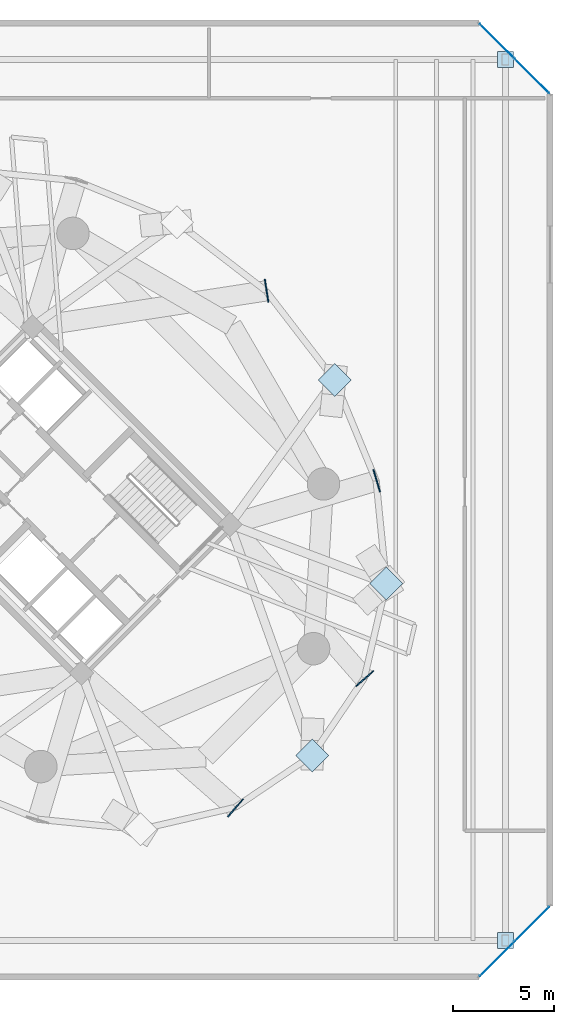
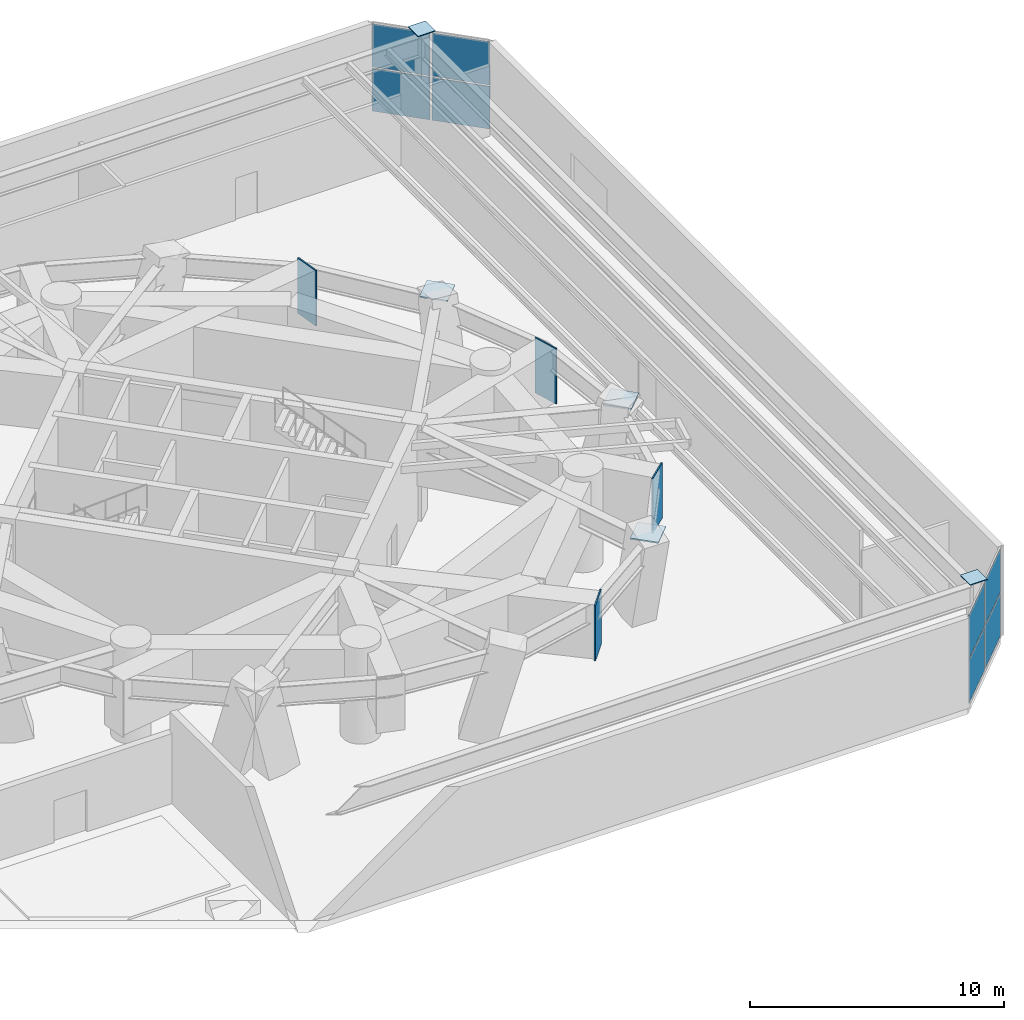
# One storey, part 16 of 25: 17 plates, 2 elements without a shape of their own.
"""IFC4 building model written with IfcOpenShell, lengths in metres."""

from ifc_helpers import new_model, si_unit, direction, frame, origin, origin_2d, place, context, subcontext, project, spatial, rectangle, extrude, source, transform, mapped, material, layer, layer_set, type_object, element, aggregate, save


model = new_model("IFC4")

# Units and contexts
model_context = context("Model", 3, precision=1e-05, world=origin(), true_north=direction((0.0, 1.0)))
body_context = subcontext(model_context, "Body", "Model", "MODEL_VIEW")
ifc_project = project(units=[si_unit("LENGTHUNIT", "METRE"), si_unit("AREAUNIT", "SQUARE_METRE"), si_unit("VOLUMEUNIT", "CUBIC_METRE"), si_unit("PLANEANGLEUNIT", "RADIAN"), si_unit("MASSUNIT", "GRAM", prefix="KILO")], contexts=[model_context])

# Site, building, storey
site_placement = place(None, origin())
site = spatial("IfcSite", under=ifc_project, at=site_placement, CompositionType="ELEMENT")
building_placement = place(site_placement, origin())
building = spatial("IfcBuilding", under=site, at=building_placement, Name="Cununo Teusaquillo Station Towers", CompositionType="ELEMENT")
storey_placement = place(building_placement, frame((0.0, 0.0, 17.39990234375)))
storey = spatial("IfcBuildingStorey", under=building, at=storey_placement, Name="L04", CompositionType="ELEMENT", Elevation=17.39990234375)

# Plates
ifc_material_1 = material(Name="Steel ASTM A572 Grade 50", Category="steel")
ifc_layer_1 = layer(ifc_material_1, 0.06005859375)
ifc_layer_set_1 = layer_set([ifc_layer_1], Name="Steel ASTM A572 Grade 50")
plate_type_1 = type_object("IfcPlateType", Name="PLT-NODE-BDN1", PredefinedType="USERDEFINED", material=ifc_layer_set_1)
shared_shape_1 = source(origin(), body_context, "Body", "SweptSolid", [
    extrude(rectangle(XDim=1.14990234375, YDim=1.14990234375, at=origin_2d()), origin(), (0.0, 0.0, 1.0), 0.06005859375),
])
for number, where, z_axis, x_axis, name in (
    (1, (70.079345703125, 11.920654296875, 4.5400390625), (0.0, 0.0, 1.0), (0.707106781187, 0.707106781187, 0.0), "L04 Tower B V-Foot Pier Head Plate V16L"),
    (2, (73.733154296875, 20.379150390625, 4.5400390625), (0.0, 0.0, 1.0), (0.707106781187, 0.707106781187, 0.0), "L04 Tower B V-Foot Pier Head Plate V18L"),
    (3, (71.186279296875, 30.41162109375, 4.5400390625), (0.0, 0.0, 1.0), (0.707106781187, 0.707106781187, 0.0), "L04 Tower B V-Foot Pier Head Plate V18R"),
):
    element("IfcPlate", number, at=place(storey_placement, frame(where, z_axis=z_axis, x_axis=x_axis)), inside=storey, type_object=plate_type_1, Name=name, ObjectType="BASE PLATE", PredefinedType="USERDEFINED", context=body_context, shape_type="MappedRepresentation", body=[
        mapped(shared_shape_1, transform((0.0, 0.0, 0.0), x_axis=(1.0, 0.0, 0.0), y_axis=(0.0, 1.0, 0.0), z_axis=(0.0, 0.0, 1.0), scale=1.0)),
    ])
shared_shape_2 = source(origin(), body_context, "Body", "SweptSolid", [
    extrude(rectangle(XDim=0.06005859375, YDim=1.14990234375, at=origin_2d()), origin(), (0.0, 0.0, 1.0), 2.659912109375),
])
for number, where, z_axis, x_axis, name in (
    (4, (67.8330078125, 34.807861328125, 1.7099609375), (0.0, 0.0, 1.0), (0.98825506746, 0.152813355565, 0.0), "L04 Tower B Transfer Girder End-Cap Plate 01"),
    (5, (66.302490234375, 9.332763671875, 1.7099609375), (0.0, 0.0, 1.0), (0.752759694735, -0.65829540632, 0.0), "L04 Tower B Transfer Girder End-Cap Plate 08"),
    (6, (72.667236328125, 15.697509765625, 1.7099609375), (0.0, 0.0, 1.0), (0.65829540632, -0.752759694735, 0.0), "L04 Tower B Transfer Girder End-Cap Plate 09"),
    (7, (73.25830078125, 25.4501953125, 1.7099609375), (0.0, 0.0, 1.0), (0.958372421895, 0.285521104212, 0.0), "L04 Tower B Transfer Girder End-Cap Plate 10"),
):
    element("IfcPlate", number, at=place(storey_placement, frame(where, z_axis=z_axis, x_axis=x_axis)), inside=storey, type_object=plate_type_1, Name=name, ObjectType="BASE PLATE", PredefinedType="USERDEFINED", context=body_context, shape_type="MappedRepresentation", body=[
        mapped(shared_shape_2, transform((0.0, 0.0, 0.0), x_axis=(1.0, 0.0, 0.0), y_axis=(0.0, 1.0, 0.0), z_axis=(0.0, 0.0, 1.0), scale=1.0)),
    ])
ifc_material_2 = material(Name="Steel ASTM A572 Grade 50", Category="steel")
ifc_layer_2 = layer(ifc_material_2, 0.0400390625)
ifc_layer_set_2 = layer_set([ifc_layer_2], Name="Steel ASTM A572 Grade 50")
plate_type_2 = type_object("IfcPlateType", Name="PLT-NODE-CRN1", PredefinedType="USERDEFINED", material=ifc_layer_set_2)
shared_shape_3 = source(origin(), body_context, "Body", "SweptSolid", [
    extrude(rectangle(XDim=0.780029296875, YDim=0.780029296875, at=origin_2d()), origin(), (0.0, 0.0, 1.0), 0.0400390625),
])
for number, where, z_axis, x_axis, name in (
    (8, (79.60009765625, 46.199951171875, 4.60009765625), (0.0, 0.0, 1.0), (1.0, 0.0, 0.0), "L04 Pilaster PIL-NE Sealed Top Cap Plate"),
    (9, (79.60009765625, 2.800048828125, 4.60009765625), (0.0, 0.0, 1.0), (1.0, 0.0, 0.0), "L04 Pilaster PIL-SE Sealed Top Cap Plate"),
):
    element("IfcPlate", number, at=place(storey_placement, frame(where, z_axis=z_axis, x_axis=x_axis)), inside=storey, type_object=plate_type_2, Name=name, ObjectType="GUSSET PLATE", PredefinedType="USERDEFINED", context=body_context, shape_type="MappedRepresentation", body=[
        mapped(shared_shape_3, transform((0.0, 0.0, 0.0), x_axis=(1.0, 0.0, 0.0), y_axis=(0.0, 1.0, 0.0), z_axis=(0.0, 0.0, 1.0), scale=1.0)),
    ])

# Curtain wall, plates
ifc_material_3 = material(Name="Ceramic-fritted dark low-E double glazing", Category="glass")
ifc_layer_3 = layer(ifc_material_3, 0.179931640625)
ifc_layer_set_3 = layer_set([ifc_layer_3], Name="Ceramic-fritted dark low-E double glazing")
curtain_wall_type = type_object("IfcCurtainWallType", Name="CW-SYS-01", PredefinedType="USERDEFINED", material=ifc_layer_set_3)
curtain_wall_1_placement = place(storey_placement, origin())
curtain_wall_1 = element("IfcCurtainWall", 10, at=curtain_wall_1_placement, inside=storey, type_object=curtain_wall_type, Name="L04 Station Podium Corner Curtain Wall 4", ObjectType="FRITTED GLAZING", PredefinedType="USERDEFINED")
ifc_material_4 = material(Name="Ceramic-fritted dark low-E double glazing", Category="glass")
ifc_layer_4 = layer(ifc_material_4, 0.028076171875)
ifc_layer_set_4 = layer_set([ifc_layer_4], Name="Ceramic-fritted dark low-E double glazing")
plate_type_3 = type_object("IfcPlateType", Name="CWP-FRIT-28", PredefinedType="CURTAIN_PANEL", material=ifc_layer_set_4)
shared_shape_4 = source(origin(), body_context, "Body", "SweptSolid", [
    extrude(rectangle(XDim=2.35498046875, YDim=0.028076171875, at=origin_2d()), origin(), (0.0, 0.0, 1.0), 2.044921875),
])
plate_1_placement = place(storey_placement, frame((79.189208984375, 47.11083984375, 0.070068359375), z_axis=(0.0, 0.0, 1.0), x_axis=(0.707106781187, -0.707106781187, 0.0)))
plate_1 = element("IfcPlate", 11, at=plate_1_placement, type_object=plate_type_3, Name="CW-01 panel 1.1", PredefinedType="CURTAIN_PANEL", context=body_context, shape_type="MappedRepresentation", body=[
    mapped(shared_shape_4, transform((0.0, 0.0, 0.0), x_axis=(1.0, 0.0, 0.0), y_axis=(0.0, 1.0, 0.0), z_axis=(0.0, 0.0, 1.0), scale=1.0)),
])
plate_2_placement = place(storey_placement, frame((80.910888671875, 45.38916015625, 0.070068359375), z_axis=(0.0, 0.0, 1.0), x_axis=(0.707106781187, -0.707106781187, 0.0)))
plate_2 = element("IfcPlate", 12, at=plate_2_placement, type_object=plate_type_3, Name="CW-01 panel 2.1", PredefinedType="CURTAIN_PANEL", context=body_context, shape_type="MappedRepresentation", body=[
    mapped(shared_shape_4, transform((0.0, 0.0, 0.0), x_axis=(1.0, 0.0, 0.0), y_axis=(0.0, 1.0, 0.0), z_axis=(0.0, 0.0, 1.0), scale=1.0)),
])

curtain_wall_2_placement = place(storey_placement, origin())
curtain_wall_2 = element("IfcCurtainWall", 13, at=curtain_wall_2_placement, inside=storey, type_object=curtain_wall_type, Name="L04 Station Podium Corner Curtain Wall 6", ObjectType="FRITTED GLAZING", PredefinedType="USERDEFINED")
plate_3_placement = place(storey_placement, frame((80.910888671875, 3.61083984375, 0.070068359375), z_axis=(0.0, 0.0, 1.0), x_axis=(-0.707106781187, -0.707106781187, 0.0)))
plate_3 = element("IfcPlate", 14, at=plate_3_placement, type_object=plate_type_3, Name="CW-01 panel 1.1", PredefinedType="CURTAIN_PANEL", context=body_context, shape_type="MappedRepresentation", body=[
    mapped(shared_shape_4, transform((0.0, 0.0, 0.0), x_axis=(1.0, 0.0, 0.0), y_axis=(0.0, 1.0, 0.0), z_axis=(0.0, 0.0, 1.0), scale=1.0)),
])
plate_4_placement = place(storey_placement, frame((79.189208984375, 1.88916015625, 0.070068359375), z_axis=(0.0, 0.0, 1.0), x_axis=(-0.707106781187, -0.707106781187, 0.0)))
plate_4 = element("IfcPlate", 15, at=plate_4_placement, type_object=plate_type_3, Name="CW-01 panel 2.1", PredefinedType="CURTAIN_PANEL", context=body_context, shape_type="MappedRepresentation", body=[
    mapped(shared_shape_4, transform((0.0, 0.0, 0.0), x_axis=(1.0, 0.0, 0.0), y_axis=(0.0, 1.0, 0.0), z_axis=(0.0, 0.0, 1.0), scale=1.0)),
])

# Plate
shared_shape_5 = source(origin(), body_context, "Body", "SweptSolid", [
    extrude(rectangle(XDim=2.35498046875, YDim=0.028076171875, at=origin_2d()), origin(), (0.0, 0.0, 1.0), 2.070068359375),
])
plate_5_placement = place(storey_placement, frame((79.189208984375, 47.11083984375, 2.18505859375), z_axis=(0.0, 0.0, 1.0), x_axis=(0.707106781187, -0.707106781187, 0.0)))
plate_5 = element("IfcPlate", 16, at=plate_5_placement, type_object=plate_type_3, Name="CW-01 panel 1.2", PredefinedType="CURTAIN_PANEL", context=body_context, shape_type="MappedRepresentation", body=[
    mapped(shared_shape_5, transform((0.0, 0.0, 0.0), x_axis=(1.0, 0.0, 0.0), y_axis=(0.0, 1.0, 0.0), z_axis=(0.0, 0.0, 1.0), scale=1.0)),
])

plate_6_placement = place(storey_placement, frame((80.910888671875, 45.38916015625, 2.18505859375), z_axis=(0.0, 0.0, 1.0), x_axis=(0.707106781187, -0.707106781187, 0.0)))
plate_6 = element("IfcPlate", 17, at=plate_6_placement, type_object=plate_type_3, Name="CW-01 panel 2.2", PredefinedType="CURTAIN_PANEL", context=body_context, shape_type="MappedRepresentation", body=[
    mapped(shared_shape_5, transform((0.0, 0.0, 0.0), x_axis=(1.0, 0.0, 0.0), y_axis=(0.0, 1.0, 0.0), z_axis=(0.0, 0.0, 1.0), scale=1.0)),
])

aggregate(curtain_wall_1, [plate_1, plate_5, plate_2, plate_6])

plate_7_placement = place(storey_placement, frame((80.910888671875, 3.61083984375, 2.18505859375), z_axis=(0.0, 0.0, 1.0), x_axis=(-0.707106781187, -0.707106781187, 0.0)))
plate_7 = element("IfcPlate", 18, at=plate_7_placement, type_object=plate_type_3, Name="CW-01 panel 1.2", PredefinedType="CURTAIN_PANEL", context=body_context, shape_type="MappedRepresentation", body=[
    mapped(shared_shape_5, transform((0.0, 0.0, 0.0), x_axis=(1.0, 0.0, 0.0), y_axis=(0.0, 1.0, 0.0), z_axis=(0.0, 0.0, 1.0), scale=1.0)),
])

plate_8_placement = place(storey_placement, frame((79.189208984375, 1.88916015625, 2.18505859375), z_axis=(0.0, 0.0, 1.0), x_axis=(-0.707106781187, -0.707106781187, 0.0)))
plate_8 = element("IfcPlate", 19, at=plate_8_placement, type_object=plate_type_3, Name="CW-01 panel 2.2", PredefinedType="CURTAIN_PANEL", context=body_context, shape_type="MappedRepresentation", body=[
    mapped(shared_shape_5, transform((0.0, 0.0, 0.0), x_axis=(1.0, 0.0, 0.0), y_axis=(0.0, 1.0, 0.0), z_axis=(0.0, 0.0, 1.0), scale=1.0)),
])

aggregate(curtain_wall_2, [plate_3, plate_7, plate_4, plate_8])

save(model, "model.ifc")
